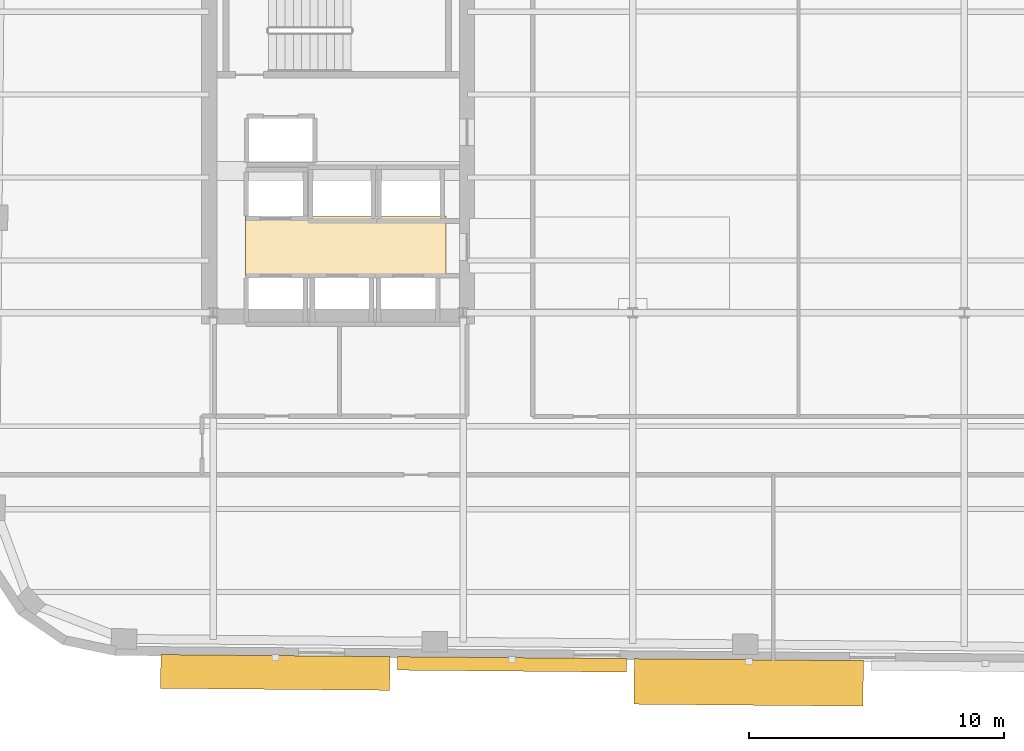
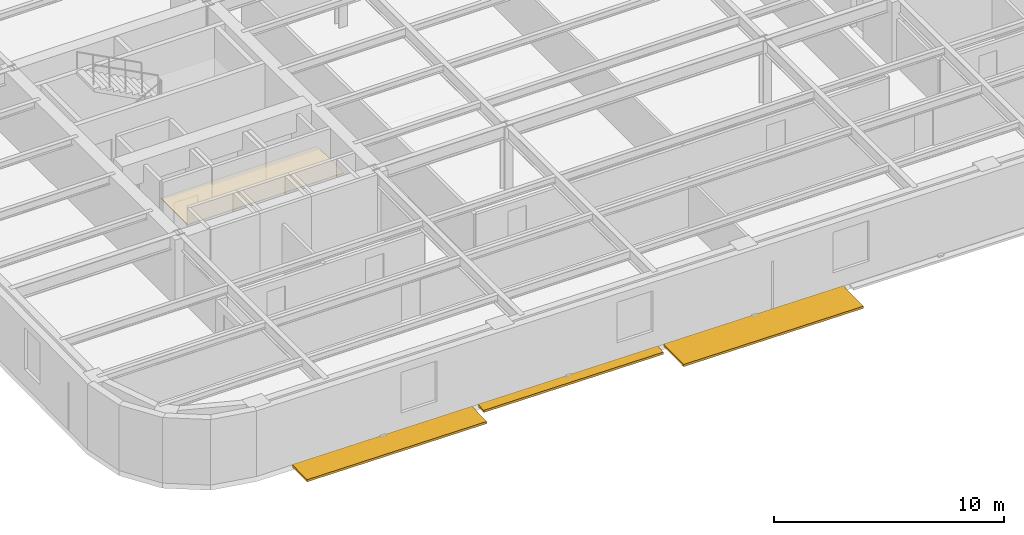
# One storey, part 7 of 10: 3 shading devices, 1 covering.
"""IFC4 building model written with IfcOpenShell, lengths in metres."""

from ifc_helpers import new_model, si_unit, direction, frame, origin, origin_2d, place, context, subcontext, project, spatial, polyline, rectangle, outline, extrude, material, layer, layer_set, type_object, element, save


model = new_model("IFC4")

# Units and contexts
model_context = context("Model", 3, precision=1e-05, world=origin(), true_north=direction((0.0, 1.0)))
body_context = subcontext(model_context, "Body", "Model", "MODEL_VIEW")
ifc_project = project(units=[si_unit("LENGTHUNIT", "METRE"), si_unit("AREAUNIT", "SQUARE_METRE"), si_unit("VOLUMEUNIT", "CUBIC_METRE"), si_unit("PLANEANGLEUNIT", "RADIAN"), si_unit("MASSUNIT", "GRAM", prefix="KILO")], contexts=[model_context])

# Site, building, storey
site_placement = place(None, origin())
site = spatial("IfcSite", under=ifc_project, at=site_placement, CompositionType="ELEMENT")
building_placement = place(site_placement, origin())
building = spatial("IfcBuilding", under=site, at=building_placement, Name="Kolvaren Arena Tower", CompositionType="ELEMENT")
storey_placement = place(building_placement, frame((0.0, 0.0, 192.199951171875)))
storey = spatial("IfcBuildingStorey", under=building, at=storey_placement, Name="L46", CompositionType="ELEMENT", Elevation=192.199951171875)

# Covering
ifc_material_1 = material(Name="Moisture-resistant gypsum ceiling", Category="gypsum")
ifc_layer = layer(ifc_material_1, 0.030029296875)
ifc_layer_set = layer_set([ifc_layer], Name="Moisture-resistant gypsum ceiling")
covering_type = type_object("IfcCoveringType", Name="CEIL-GYP-1", PredefinedType="CEILING", material=ifc_layer_set)
covering_placement = place(storey_placement, frame((0.0, 0.0, 2.52001953125)))
element("IfcCovering", 1, at=covering_placement, inside=storey, type_object=covering_type, Name="Suspended Ceiling (L46)", PredefinedType="CEILING", context=body_context, shape_type="SweptSolid", body=[
    extrude(outline(polyline([(15.820068359375, 20.89990234375), (15.820068359375, 23.239990234375), (23.679931640625, 23.239990234375), (23.679931640625, 20.89990234375), (15.820068359375, 20.89990234375)])), origin(), (0.0, 0.0, 1.0), 0.030029296875),
])

# Shading devices
ifc_material_2 = material(Name="Architectural precast GFRC and anodised aluminium sunshade", Category="concrete")
shading_device_type_1 = type_object("IfcShadingDeviceType", Name="SHAD-SINE-A", PredefinedType="USERDEFINED", material=ifc_material_2)
shading_device_1_placement = place(storey_placement, frame((26.26953125, 5.666015625, -0.139892578125), z_axis=(0.0, 0.0, 1.0), x_axis=(-0.999961923064, 0.008726535498, 0.0)))
element("IfcShadingDevice", 2, at=shading_device_1_placement, inside=storey, type_object=shading_device_type_1, Name="Sinusoidal Slab-Edge Sunshade Louvre (L46)", ObjectType="LOUVRE", PredefinedType="USERDEFINED", context=body_context, shape_type="SweptSolid", body=[
    extrude(rectangle(XDim=8.97998046875, YDim=0.529296875, at=origin_2d()), origin(), (0.0, 0.0, 1.0), 0.1201171875),
])
shading_device_type_2 = type_object("IfcShadingDeviceType", Name="SHAD-SINE-B", PredefinedType="JALOUSIE", material=ifc_material_2)
shading_device_2_placement = place(storey_placement, frame((35.543701171875, 4.9580078125, -0.139892578125), z_axis=(0.0, 0.0, 1.0), x_axis=(-0.999961923064, 0.008726535498, 0.0)))
element("IfcShadingDevice", 3, at=shading_device_2_placement, inside=storey, type_object=shading_device_type_2, Name="Sinusoidal Slab-Edge Sunshade Louvre (L46)", PredefinedType="JALOUSIE", context=body_context, shape_type="SweptSolid", body=[
    extrude(rectangle(XDim=8.97998046875, YDim=1.783203125, at=origin_2d()), origin(), (0.0, 0.0, 1.0), 0.1201171875),
])
shading_device_3_placement = place(storey_placement, frame((16.986328125, 5.349853515625, -0.139892578125), z_axis=(0.0, 0.0, 1.0), x_axis=(-0.999961923064, 0.008726535498, 0.0)))
element("IfcShadingDevice", 4, at=shading_device_3_placement, inside=storey, type_object=shading_device_type_2, Name="Sinusoidal Slab-Edge Sunshade Louvre (L46)", PredefinedType="JALOUSIE", context=body_context, shape_type="SweptSolid", body=[
    extrude(rectangle(XDim=8.97998046875, YDim=1.3232421875, at=origin_2d()), origin(), (0.0, 0.0, 1.0), 0.1201171875),
])

save(model, "model.ifc")
